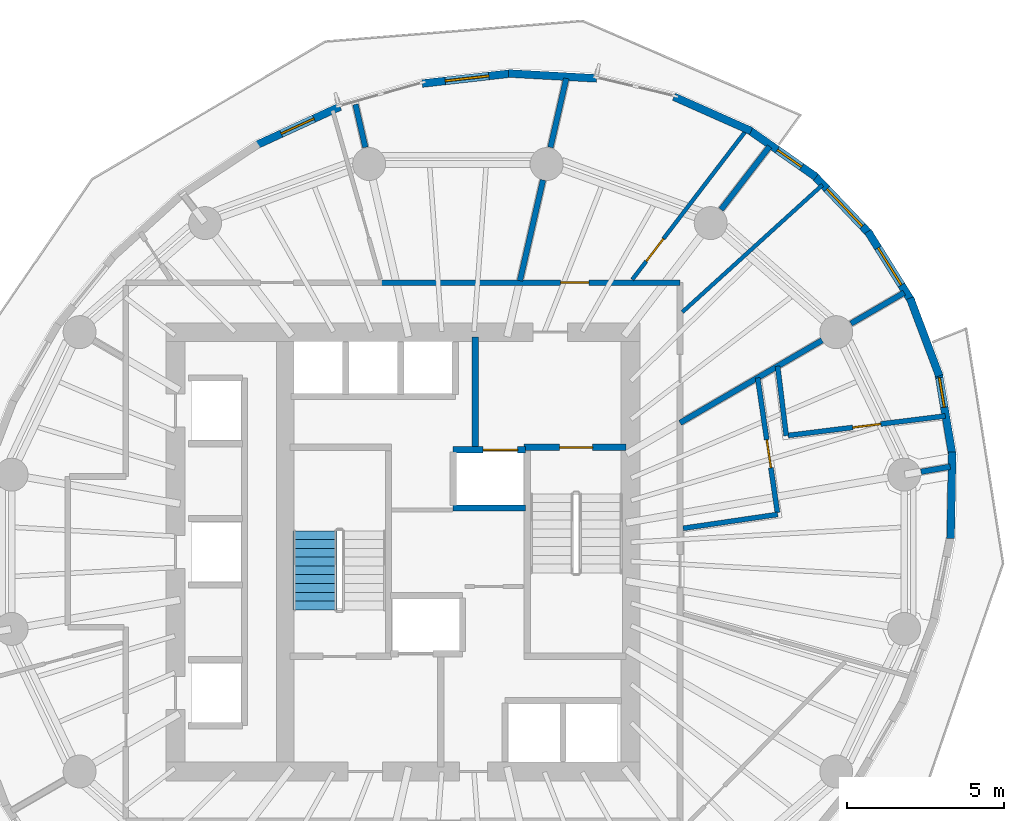
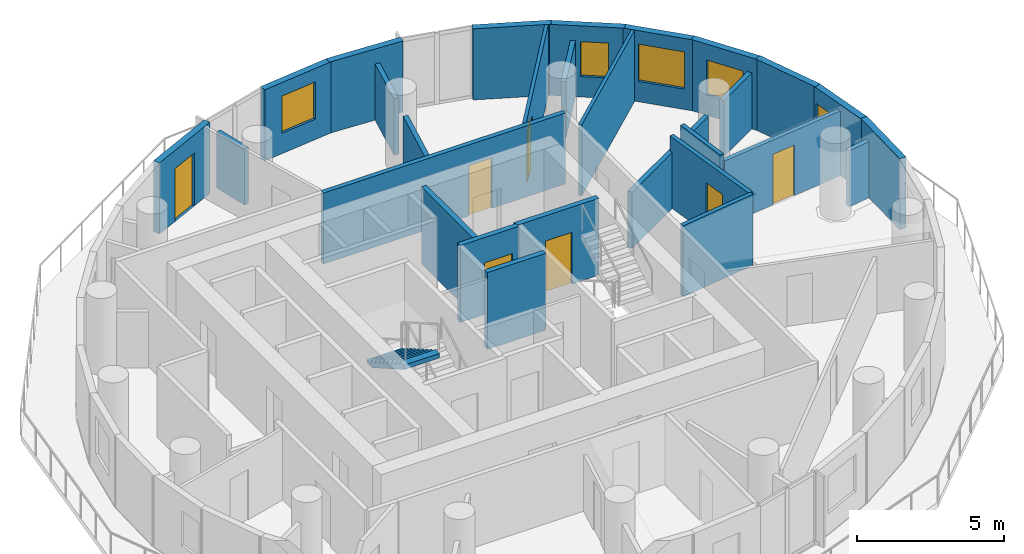
# One storey, part 7 of 13: 28 walls, 7 doors, 5 windows, 1 stair flight, 12 openings, 1 element without a shape of its own.
"""IFC4 building model written with IfcOpenShell, lengths in metres."""

import ifcopenshell
import ifcopenshell.guid

model = None  # the IFC model being written
_history = None  # IfcOwnerHistory: only IFC2X3 demands one
_inside = {}  # id of a spatial element -> (the spatial element, [elements in it])
_under = {}  # id of a project, library or spatial element -> (it, [spatial elements below it])
_declared = {}  # id of a project -> (the project, [libraries it declares])
_typed = {}  # id of a type object -> (the type object, [elements of that type])
_made_of = {}  # id of a material, layer set ... -> (it, [elements and type objects made of it])


def new_model(schema):
    """Start an empty IFC model of exactly this schema.

    Asked for "IFC4X3", IfcOpenShell would pick the latest addendum, in which some entities
    have other attributes; the version numbers below select the first issue.
    IFC2X3 requires an IfcOwnerHistory on every rooted entity: one is made here for all.
    """
    global model, _history
    if schema == "IFC4X3":
        model = ifcopenshell.file(schema_version=(4, 3, 0, 0))
    else:
        model = ifcopenshell.file(schema=schema)
    _inside.clear()
    _under.clear()
    _declared.clear()
    _typed.clear()
    _made_of.clear()
    _history = None
    if model.schema == "IFC2X3":
        org = make("IfcOrganization", Name="unknown")
        user = make(
            "IfcPersonAndOrganization",
            ThePerson=make("IfcPerson", FamilyName="unknown"),
            TheOrganization=org,
        )
        app = make(
            "IfcApplication",
            ApplicationDeveloper=org,
            Version="unknown",
            ApplicationFullName="unknown",
            ApplicationIdentifier="unknown",
        )
        _history = make(
            "IfcOwnerHistory",
            OwningUser=user,
            OwningApplication=app,
            ChangeAction="ADDED",
            CreationDate=0,
        )
    return model


def make(cls, **values):
    """One entity of the class cls with the attributes given. An attribute that is None is left unset."""
    return model.create_entity(
        cls, **{name: value for name, value in values.items() if value is not None}
    )


def rooted(cls, **values):
    """An entity with a GlobalId (a new one), such as an element, a storey or a relation."""
    return make(cls, GlobalId=ifcopenshell.guid.new(), OwnerHistory=_history, **values)


def si_unit(unit_type, name, prefix=None):
    """IfcSIUnit, for example si_unit("LENGTHUNIT", "METRE", prefix="MILLI")."""
    return make("IfcSIUnit", UnitType=unit_type, Prefix=prefix, Name=name)


def assignment(units):
    """IfcUnitAssignment: the units of a project."""
    return None if units is None else make("IfcUnitAssignment", Units=units)


def point(xyz):
    """IfcCartesianPoint."""
    return None if xyz is None else make("IfcCartesianPoint", Coordinates=xyz)


def direction(xyz):
    """IfcDirection."""
    return None if xyz is None else make("IfcDirection", DirectionRatios=xyz)


def frame(location, z_axis=None, x_axis=None):
    """IfcAxis2Placement3D, a coordinate frame: its origin and axes. An axis left out is left unset."""
    return make(
        "IfcAxis2Placement3D",
        Location=point(location),
        Axis=direction(z_axis),
        RefDirection=direction(x_axis),
    )


def frame_2d(location, x_axis=None):
    """IfcAxis2Placement2D, a coordinate frame in the plane: its origin and x axis."""
    return make(
        "IfcAxis2Placement2D", Location=point(location), RefDirection=direction(x_axis)
    )


def origin():
    """The frame at (0, 0, 0) with its axes left unset."""
    return frame((0.0, 0.0, 0.0))


def place(relative_to, where):
    """IfcLocalPlacement: puts the frame where relative to a parent placement (None: the world)."""
    return make(
        "IfcLocalPlacement", PlacementRelTo=relative_to, RelativePlacement=where
    )


def context(
    kind, dimensions, precision=None, world=None, true_north=None, identifier=None
):
    """IfcGeometricRepresentationContext, for example the 3D "Model" context."""
    return make(
        "IfcGeometricRepresentationContext",
        ContextIdentifier=identifier,
        ContextType=kind,
        CoordinateSpaceDimension=dimensions,
        Precision=precision,
        WorldCoordinateSystem=world,
        TrueNorth=true_north,
    )


def subcontext(parent, identifier, kind, view, scale=None):
    """IfcGeometricRepresentationSubContext, for example "Body" below "Model"."""
    return make(
        "IfcGeometricRepresentationSubContext",
        ContextIdentifier=identifier,
        ContextType=kind,
        ParentContext=parent,
        TargetScale=scale,
        TargetView=view,
    )


def project(units=None, contexts=None):
    """IfcProject with its units and contexts."""
    return rooted(
        "IfcProject",
        Name="project",
        RepresentationContexts=contexts,
        UnitsInContext=assignment(units),
    )


def spatial(cls, under=None, at=None, **own):
    """A site, building, storey or space (cls), placed at a placement, below another one or the project."""
    s = rooted(cls, ObjectPlacement=at, **own)
    if under is not None:
        _under.setdefault(under.id(), (under, []))[1].append(s)
    return s


def polyline(points):
    """IfcPolyline through the points."""
    return make("IfcPolyline", Points=[point(p) for p in points])


def profile(cls, at=None, kind="AREA", **sizes):
    """A parametric profile (cls). Its sizes go by their IFC names, for example OverallWidth=200.0."""
    return make(cls, ProfileType=kind, Position=at, **sizes)


def rectangle(**sizes):
    """IfcRectangleProfileDef."""
    return profile("IfcRectangleProfileDef", **sizes)


def outline(outer, holes=None, kind="AREA"):
    """IfcArbitraryClosedProfileDef: a profile drawn as a closed curve; with holes, ...WithVoids."""
    if holes is None:
        return make("IfcArbitraryClosedProfileDef", ProfileType=kind, OuterCurve=outer)
    return make(
        "IfcArbitraryProfileDefWithVoids",
        ProfileType=kind,
        OuterCurve=outer,
        InnerCurves=holes,
    )


def extrude(swept, where, along, depth):
    """IfcExtrudedAreaSolid: the profile swept, set in the frame where, extruded along a direction by depth."""
    return make(
        "IfcExtrudedAreaSolid",
        SweptArea=swept,
        Position=where,
        ExtrudedDirection=direction(along),
        Depth=depth,
    )


def shape(context_of_items, identifier, shape_type, items):
    """IfcShapeRepresentation: the items that make up one representation, for example the "Body"."""
    return make(
        "IfcShapeRepresentation",
        ContextOfItems=context_of_items,
        RepresentationIdentifier=identifier,
        RepresentationType=shape_type,
        Items=items,
    )


def material(Name=None, Category=None):
    """IfcMaterial."""
    return make("IfcMaterial", Name=Name, Category=Category)


def layer(
    of_material, thickness, ventilated=None, Name=None, Category=None, Priority=None
):
    """IfcMaterialLayer: one layer of a wall or slab, of a material (None: an air gap)."""
    return make(
        "IfcMaterialLayer",
        Material=of_material,
        LayerThickness=thickness,
        IsVentilated=ventilated,
        Name=Name,
        Category=Category,
        Priority=Priority,
    )


def layer_set(layers, Name=None):
    """IfcMaterialLayerSet."""
    return make("IfcMaterialLayerSet", MaterialLayers=layers, LayerSetName=Name)


def made_of(thing, what):
    """Note that an element or type object is made of a material, layer set ...; save() writes the relation."""
    if what is not None:
        _made_of.setdefault(what.id(), (what, []))[1].append(thing)
    return thing


def type_object(cls, material=None, **own):
    """A type object (cls), such as IfcWallType, which elements share."""
    return made_of(rooted(cls, **own), material)


def element(
    cls,
    number,
    at=None,
    inside=None,
    cuts=None,
    type_object=None,
    material=None,
    context=None,
    identifier="Body",
    shape_type=None,
    held_by="IfcProductDefinitionShape",
    body=None,
    shapes=None,
    **own,
):
    """One element of the class cls, such as IfcWall. Its Tag is "e" and its number.

    at: its placement. inside: the storey or other place that contains it. cuts: it is an
    opening in that element (IfcRelVoidsElement). A single representation is given by context,
    identifier, shape_type and body (its items); several are given by shapes. held_by: the class
    of the entity that holds the representations. save() writes the other relations.
    """
    e = rooted(cls, Tag="e%d" % number, ObjectPlacement=at, **own)
    if body is not None:
        shapes = [shape(context, identifier, shape_type, body)]
    if shapes is not None:
        e.Representation = make(held_by, Representations=shapes)
    if inside is not None:
        _inside.setdefault(inside.id(), (inside, []))[1].append(e)
    if cuts is not None:
        rooted(
            "IfcRelVoidsElement", RelatingBuildingElement=cuts, RelatedOpeningElement=e
        )
    if type_object is not None:
        _typed.setdefault(type_object.id(), (type_object, []))[1].append(e)
    return made_of(e, material)


def fill(opening, filler):
    """IfcRelFillsElement: the door or window that sits in an opening."""
    return rooted(
        "IfcRelFillsElement",
        RelatingOpeningElement=opening,
        RelatedBuildingElement=filler,
    )


def aggregate(whole, parts):
    """IfcRelAggregates: a whole, such as a stair, and the parts it consists of."""
    return rooted("IfcRelAggregates", RelatingObject=whole, RelatedObjects=parts)


def save(model, path):
    """Write the relations noted so far, then the file.

    IfcRelAggregates (storeys below a building ...), IfcRelContainedInSpatialStructure (elements
    in a storey), IfcRelDefinesByType, IfcRelAssociatesMaterial and IfcRelDeclares: one each for
    every whole, place, type object, material and project.
    """
    for whole, parts in _under.values():
        aggregate(whole, parts)
    for where, things in _inside.values():
        rooted(
            "IfcRelContainedInSpatialStructure",
            RelatedElements=things,
            RelatingStructure=where,
        )
    for kind, things in _typed.values():
        rooted("IfcRelDefinesByType", RelatedObjects=things, RelatingType=kind)
    for what, things in _made_of.values():
        rooted("IfcRelAssociatesMaterial", RelatedObjects=things, RelatingMaterial=what)
    for by, libraries in _declared.values():
        rooted("IfcRelDeclares", RelatingContext=by, RelatedDefinitions=libraries)
    model.write(path)


model = new_model("IFC4")

# Units and contexts
model_context = context("Model", 3, precision=1e-05, world=origin(), true_north=direction((0.0, 1.0)))
body_context = subcontext(model_context, "Body", "Model", "MODEL_VIEW")
ifc_project = project(units=[si_unit("LENGTHUNIT", "METRE"), si_unit("AREAUNIT", "SQUARE_METRE"), si_unit("VOLUMEUNIT", "CUBIC_METRE"), si_unit("PLANEANGLEUNIT", "RADIAN"), si_unit("MASSUNIT", "GRAM", prefix="KILO")], contexts=[model_context])

# Site, building, storey
site_placement = place(None, origin())
site = spatial("IfcSite", under=ifc_project, at=site_placement, CompositionType="ELEMENT")
building_placement = place(site_placement, origin())
building = spatial("IfcBuilding", under=site, at=building_placement, Name="Veldorim Arch Residences", CompositionType="ELEMENT")
storey_placement = place(building_placement, frame((0.0, 0.0, 152.159912109375)))
storey = spatial("IfcBuildingStorey", under=building, at=storey_placement, Name="L45", CompositionType="ELEMENT", Elevation=152.159912109375)

# Wall, opening, door
ifc_material_1 = material(Name="Acoustic Gypsum Board", Category="gypsum")
ifc_layer_1 = layer(ifc_material_1, 0.125, Name="Acoustic Stud Room Partition Wall 125")
ifc_layer_set_1 = layer_set([ifc_layer_1], Name="Acoustic Gypsum Board")
wall_type_1 = type_object("IfcWallType", Name="Acoustic Stud Room Partition Wall 125", PredefinedType="PARTITIONING", material=ifc_layer_set_1)
wall_1_placement = place(storey_placement, frame((41.206787109375, 37.455322265625, 0.0), z_axis=(0.0, 0.0, 1.0), x_axis=(-0.606958821331, -0.794733281805, 0.0)))
wall_1 = element("IfcWall", 1, at=wall_1_placement, inside=storey, type_object=wall_type_1, Name="L45 interior wall WL-RES-L45-022", PredefinedType="PARTITIONING", context=body_context, shape_type="SweptSolid", body=[
    extrude(rectangle(XDim=6.0146484375, YDim=0.125, at=frame_2d((3.00732421875, 0.0))), origin(), (0.0, 0.0, 1.0), 2.955078125),
])
opening_1_placement = place(wall_1_placement, frame((4.377197265625, 0.0, 0.0)))
opening_1 = element("IfcOpeningElement", 2, at=opening_1_placement, cuts=wall_1, Name="Opening DR-SVC", PredefinedType="OPENING", context=body_context, shape_type="SweptSolid", body=[
    extrude(rectangle(XDim=0.89990234375, YDim=2.10009765625, at=frame_2d((0.449951171875, 1.050048828125))), frame((0.0, 0.072509765625, 0.0), z_axis=(0.0, -1.0, 0.0), x_axis=(1.0, 0.0, 0.0)), (0.0, 0.0, 1.0), 0.14501953125),
])
ifc_material_2 = material(Name="Fire-Rated Steel", Category="steel")
door_type_1 = type_object("IfcDoorType", Name="Riser, Shelter & Plant Room Rated Steel Door 900x2100", OperationType="SINGLE_SWING_LEFT", PredefinedType="DOOR", material=ifc_material_2)
door_1_placement = place(opening_1_placement, origin())
door_1 = element("IfcDoor", 3, at=door_1_placement, inside=storey, type_object=door_type_1, Name="L45 interior door DR-RES-L45-011", OperationType="SINGLE_SWING_LEFT", OverallHeight=2.10009765625, OverallWidth=0.89990234375, PredefinedType="DOOR", context=body_context, shape_type="SweptSolid", body=[
    extrude(rectangle(XDim=0.89990234375, YDim=2.10009765625, at=frame_2d((0.449951171875, 1.050048828125))), frame((0.0, 0.02490234375, 0.0), z_axis=(0.0, -1.0, 0.0), x_axis=(1.0, 0.0, 0.0)), (0.0, 0.0, 1.0), 0.050048828125),
])
fill(opening_1, door_1)

# Walls
wall_2_placement = place(storey_placement, frame((39.154052734375, 31.641357421875, 0.0), z_axis=(0.0, 0.0, 1.0), x_axis=(0.740463996849, 0.672096026896, 0.0)))
element("IfcWall", 4, at=wall_2_placement, inside=storey, type_object=wall_type_1, Name="L45 interior wall WL-RES-L45-024", PredefinedType="PARTITIONING", context=body_context, shape_type="SweptSolid", body=[
    extrude(rectangle(XDim=6.02783203125, YDim=0.125, at=frame_2d((3.013916015625, 0.0))), origin(), (0.0, 0.0, 1.0), 2.955078125),
])
ifc_material_3 = material(Name="Lightweight Masonry Block & Gypsum", Category="masonry")
ifc_layer_2 = layer(ifc_material_3, 0.179931640625, Name="Compartment & Corridor Fire-Rated Party Wall 180")
ifc_layer_set_2 = layer_set([ifc_layer_2], Name="Lightweight Masonry Block & Gypsum")
wall_type_2 = type_object("IfcWallType", Name="Compartment & Corridor Fire-Rated Party Wall 180", PredefinedType="PARTITIONING", material=ifc_layer_set_2)
wall_3_placement = place(storey_placement, frame((46.75830078125, 26.55078125, 0.0), z_axis=(0.0, 0.0, 1.0), x_axis=(0.985363023372, 0.170469094476, 0.0)))
element("IfcWall", 5, at=wall_3_placement, inside=storey, type_object=wall_type_2, Name="L45 interior wall WL-PIER-L45-01", PredefinedType="PARTITIONING", context=body_context, shape_type="SweptSolid", body=[
    extrude(rectangle(XDim=0.9453125, YDim=0.179931640625, at=frame_2d((0.47265625, 0.0))), origin(), (0.0, 0.0, 1.0), 2.3359375),
])
wall_4_placement = place(storey_placement, frame((44.527587890625, 31.27392578125, 0.0), z_axis=(0.0, 0.0, 1.0), x_axis=(0.864794183852, 0.502126497584, 0.0)))
element("IfcWall", 6, at=wall_4_placement, inside=storey, type_object=wall_type_2, Name="L45 interior wall WL-PIER-L45-02", PredefinedType="PARTITIONING", context=body_context, shape_type="SweptSolid", body=[
    extrude(rectangle(XDim=1.958984375, YDim=0.179931640625, at=frame_2d((0.9794921875, 0.0))), origin(), (0.0, 0.0, 1.0), 2.3359375),
])
wall_5_placement = place(storey_placement, frame((40.387939453125, 34.908447265625, 0.0), z_axis=(0.0, 0.0, 1.0), x_axis=(0.609529171404, 0.79276364019, 0.0)))
element("IfcWall", 7, at=wall_5_placement, inside=storey, type_object=wall_type_2, Name="L45 interior wall WL-PIER-L45-03", PredefinedType="PARTITIONING", context=body_context, shape_type="SweptSolid", body=[
    extrude(rectangle(XDim=2.5341796875, YDim=0.179931640625, at=frame_2d((1.26708984375, 0.0))), origin(), (0.0, 0.0, 1.0), 2.3359375),
])
wall_6_placement = place(storey_placement, frame((34.950439453125, 36.88916015625, 0.0), z_axis=(0.0, 0.0, 1.0), x_axis=(0.223104026265, 0.974794641688, 0.0)))
element("IfcWall", 8, at=wall_6_placement, inside=storey, type_object=wall_type_2, Name="L45 interior wall WL-PIER-L45-04", PredefinedType="PARTITIONING", context=body_context, shape_type="SweptSolid", body=[
    extrude(rectangle(XDim=2.25537109375, YDim=0.179931640625, at=frame_2d((1.127685546875, 0.0))), origin(), (0.0, 0.0, 1.0), 2.3359375),
])
wall_7_placement = place(storey_placement, frame((29.049560546875, 36.88916015625, 0.0), z_axis=(0.0, 0.0, 1.0), x_axis=(-0.223121817242, 0.974790569646, 0.0)))
element("IfcWall", 9, at=wall_7_placement, inside=storey, type_object=wall_type_2, Name="L45 interior wall WL-PIER-L45-05", PredefinedType="PARTITIONING", context=body_context, shape_type="SweptSolid", body=[
    extrude(rectangle(XDim=1.406005859375, YDim=0.179931640625, at=frame_2d((0.703125, 0.0))), origin(), (0.0, 0.0, 1.0), 2.3359375),
])

# Wall, opening, door
wall_8_placement = place(storey_placement, frame((29.543701171875, 32.580078125, 0.0), z_axis=(0.0, 0.0, 1.0), x_axis=(1.0, 0.0, 0.0)))
wall_8 = element("IfcWall", 10, at=wall_8_placement, inside=storey, type_object=wall_type_2, Name="L45 interior wall WL-RES-L45-003", PredefinedType="PARTITIONING", context=body_context, shape_type="SweptSolid", body=[
    extrude(rectangle(XDim=9.536376953125, YDim=0.179931640625, at=frame_2d((4.76806640625, 0.0))), origin(), (0.0, 0.0, 1.0), 2.955078125),
])
opening_2_placement = place(wall_8_placement, frame((5.732666015625, 0.0, 0.0)))
opening_2 = element("IfcOpeningElement", 11, at=opening_2_placement, cuts=wall_8, Name="Opening DR-INT", PredefinedType="OPENING", context=body_context, shape_type="SweptSolid", body=[
    extrude(rectangle(XDim=0.89990234375, YDim=2.10009765625, at=frame_2d((0.449951171875, 1.050048828125))), frame((0.0, 0.099853515625, 0.0), z_axis=(0.0, -1.0, 0.0), x_axis=(1.0, 0.0, 0.0)), (0.0, 0.0, 1.0), 0.199951171875),
])
ifc_material_4 = material(Name="Engineered Timber", Category="wood")
door_type_2 = type_object("IfcDoorType", Name="Apartment Internal Room Timber Door 900x2100", OperationType="SINGLE_SWING_LEFT", PredefinedType="DOOR", material=ifc_material_4)
door_2_placement = place(opening_2_placement, origin())
door_2 = element("IfcDoor", 12, at=door_2_placement, inside=storey, type_object=door_type_2, Name="L45 interior door DR-RES-L45-009", OperationType="SINGLE_SWING_LEFT", OverallHeight=2.10009765625, OverallWidth=0.89990234375, PredefinedType="DOOR", context=body_context, shape_type="SweptSolid", body=[
    extrude(rectangle(XDim=0.89990234375, YDim=2.10009765625, at=frame_2d((0.449951171875, 1.050048828125))), frame((0.0, 0.02490234375, 0.0), z_axis=(0.0, -1.0, 0.0), x_axis=(1.0, 0.0, 0.0)), (0.0, 0.0, 1.0), 0.050048828125),
])
fill(opening_2, door_2)

# Walls
wall_9_placement = place(storey_placement, frame((39.080078125, 28.110595703125, 0.0), z_axis=(0.0, 0.0, 1.0), x_axis=(0.864768049288, 0.502171505495, 0.0)))
element("IfcWall", 13, at=wall_9_placement, inside=storey, type_object=wall_type_2, Name="L45 interior wall WL-RES-L45-020", PredefinedType="PARTITIONING", context=body_context, shape_type="SweptSolid", body=[
    extrude(rectangle(XDim=5.237060546875, YDim=0.179931640625, at=frame_2d((2.61865234375, 0.0))), origin(), (0.0, 0.0, 1.0), 2.3359375),
])
wall_10_placement = place(storey_placement, frame((33.977294921875, 32.638427734375, 0.0), z_axis=(0.0, 0.0, 1.0), x_axis=(0.22319287001, 0.974774303506, 0.0)))
element("IfcWall", 14, at=wall_10_placement, inside=storey, type_object=wall_type_2, Name="L45 interior wall WL-RES-L45-023", PredefinedType="PARTITIONING", context=body_context, shape_type="SweptSolid", body=[
    extrude(rectangle(XDim=3.2958984375, YDim=0.179931640625, at=frame_2d((1.64794921875, 0.0))), origin(), (0.0, 0.0, 1.0), 2.3359375),
])

# Wall, opening, door
ifc_material_5 = material(Name="Concrete C50/60", Category="concrete")
ifc_layer_3 = layer(ifc_material_5, 0.199951171875, Name="Core Stair & Lift Shaft Enclosure Wall 200")
ifc_layer_set_3 = layer_set([ifc_layer_3], Name="Concrete C50/60")
wall_type_3 = type_object("IfcWallType", Name="Core Stair & Lift Shaft Enclosure Wall 200", PredefinedType="SHEAR", material=ifc_layer_set_3)
wall_11_placement = place(storey_placement, frame((34.110107421875, 27.330078125, 0.0), z_axis=(0.0, 0.0, 1.0), x_axis=(1.0, 0.0, 0.0)))
wall_11 = element("IfcWall", 15, at=wall_11_placement, inside=storey, type_object=wall_type_3, Name="L45 shaft wall WL-SHF-L45-ST2-N", PredefinedType="SHEAR", context=body_context, shape_type="SweptSolid", body=[
    extrude(rectangle(XDim=3.239990234375, YDim=0.199951171875, at=frame_2d((1.6201171875, 0.0))), origin(), (0.0, 0.0, 1.0), 3.2001953125),
])
opening_3_placement = place(wall_11_placement, frame((1.135009765625, 0.0, 0.0)))
opening_3 = element("IfcOpeningElement", 16, at=opening_3_placement, cuts=wall_11, Name="Opening DR-ST", PredefinedType="OPENING", context=body_context, shape_type="SweptSolid", body=[
    extrude(rectangle(XDim=1.050048828125, YDim=2.14990234375, at=frame_2d((0.52490234375, 1.074951171875))), frame((0.0, 0.10986328125, 0.0), z_axis=(0.0, -1.0, 0.0), x_axis=(1.0, 0.0, 0.0)), (0.0, 0.0, 1.0), 0.219970703125),
])
ifc_material_6 = material(Name="Fire-Rated Steel", Category="steel")
door_type_3 = type_object("IfcDoorType", Name="Exit Staircase Self-Closing Fire Door 1050x2150", OperationType="SINGLE_SWING_LEFT", PredefinedType="DOOR", material=ifc_material_6)
door_3_placement = place(opening_3_placement, origin())
door_3 = element("IfcDoor", 17, at=door_3_placement, inside=storey, type_object=door_type_3, Name="L45 interior door DR-L45-ST2", OperationType="SINGLE_SWING_RIGHT", OverallHeight=2.14990234375, OverallWidth=1.050048828125, PredefinedType="DOOR", context=body_context, shape_type="SweptSolid", body=[
    extrude(rectangle(XDim=1.050048828125, YDim=2.14990234375, at=frame_2d((0.52490234375, 1.074951171875))), frame((0.0, 0.02490234375, 0.0), z_axis=(0.0, -1.0, 0.0), x_axis=(1.0, 0.0, 0.0)), (0.0, 0.0, 1.0), 0.050048828125),
])
fill(opening_3, door_3)

# Wall
wall_12_placement = place(storey_placement, frame((32.550048828125, 27.35009765625, 0.0), z_axis=(0.0, 0.0, 1.0), x_axis=(0.0, 1.0, 0.0)))
element("IfcWall", 18, at=wall_12_placement, inside=storey, type_object=wall_type_3, Name="L45 shaft wall WL-FFL2-L45-W", PredefinedType="SHEAR", context=body_context, shape_type="SweptSolid", body=[
    extrude(rectangle(XDim=3.5, YDim=0.199951171875, at=frame_2d((1.75, 0.0))), origin(), (0.0, 0.0, 1.0), 3.2001953125),
])

# Wall, opening, door
wall_13_placement = place(storey_placement, frame((31.85009765625, 27.25, 0.0), z_axis=(0.0, 0.0, 1.0), x_axis=(1.0, 0.0, 0.0)))
wall_13 = element("IfcWall", 19, at=wall_13_placement, inside=storey, type_object=wall_type_3, Name="L45 shaft wall WL-FL02-L45-N", PredefinedType="SHEAR", context=body_context, shape_type="SweptSolid", body=[
    extrude(rectangle(XDim=2.2998046875, YDim=0.199951171875, at=frame_2d((1.14990234375, 0.0))), origin(), (0.0, 0.0, 1.0), 3.2001953125),
])
opening_4_placement = place(wall_13_placement, frame((0.949951171875, 0.0, 0.0)))
opening_4 = element("IfcOpeningElement", 20, at=opening_4_placement, cuts=wall_13, Name="Opening LD-FF", PredefinedType="OPENING", context=body_context, shape_type="SweptSolid", body=[
    extrude(rectangle(XDim=1.10009765625, YDim=2.14990234375, at=frame_2d((0.550048828125, 1.074951171875))), frame((0.0, 0.10986328125, 0.0), z_axis=(0.0, -1.0, 0.0), x_axis=(1.0, 0.0, 0.0)), (0.0, 0.0, 1.0), 0.219970703125),
])
ifc_material_7 = material(Name="Stainless Steel", Category="steel")
door_type_4 = type_object("IfcDoorType", Name="Firefighting Lift Bi-Parting Sliding Landing Door 1100x2150", OperationType="DOUBLE_DOOR_SLIDING", PredefinedType="DOOR", material=ifc_material_7)
door_4_placement = place(opening_4_placement, origin())
door_4 = element("IfcDoor", 21, at=door_4_placement, inside=storey, type_object=door_type_4, Name="L45 lift landing door LD-L45-FL02", OperationType="DOUBLE_DOOR_SLIDING", OverallHeight=2.14990234375, OverallWidth=1.10009765625, PredefinedType="DOOR", context=body_context, shape_type="SweptSolid", body=[
    extrude(rectangle(XDim=1.10009765625, YDim=2.14990234375, at=frame_2d((0.550048828125, 1.074951171875))), frame((0.0, 0.02490234375, 0.0), z_axis=(0.0, -1.0, 0.0), x_axis=(1.0, 0.0, 0.0)), (0.0, 0.0, 1.0), 0.050048828125),
])
fill(opening_4, door_4)

# Wall
wall_14_placement = place(storey_placement, frame((31.85009765625, 25.39990234375, 0.0), z_axis=(0.0, 0.0, 1.0), x_axis=(1.0, 0.0, 0.0)))
element("IfcWall", 22, at=wall_14_placement, inside=storey, type_object=wall_type_3, Name="L45 shaft wall WL-FL02-L45-S", PredefinedType="SHEAR", context=body_context, shape_type="SweptSolid", body=[
    extrude(rectangle(XDim=2.2998046875, YDim=0.199951171875, at=frame_2d((1.14990234375, 0.0))), origin(), (0.0, 0.0, 1.0), 3.2001953125),
])

# Wall, opening, window
ifc_material_8 = material(Name="Precast concrete C40/50", Category="concrete")
ifc_layer_4 = layer(ifc_material_8, 0.25, Name="Tower Terracotta Spandrel & Pier Wall 250")
ifc_layer_set_4 = layer_set([ifc_layer_4], Name="Precast concrete C40/50")
wall_type_4 = type_object("IfcWallType", Name="Tower Terracotta Spandrel & Pier Wall 250", PredefinedType="SOLIDWALL", material=ifc_layer_set_4)
wall_15_placement = place(storey_placement, frame((43.328125, 36.018798828125, 0.0), z_axis=(0.0, 0.0, 1.0), x_axis=(0.688923042016, -0.724834492957, 0.0)))
wall_15 = element("IfcWall", 23, at=wall_15_placement, inside=storey, type_object=wall_type_4, Name="L45 terracotta facade wall 01", PredefinedType="SOLIDWALL", context=body_context, shape_type="SweptSolid", body=[
    extrude(rectangle(XDim=2.624267578125, YDim=0.25, at=frame_2d((1.31201171875, 0.0))), origin(), (0.0, 0.0, 1.0), 2.960205078125),
])
opening_5_placement = place(wall_15_placement, frame((0.62109375, 0.0, 0.85009765625)))
opening_5 = element("IfcOpeningElement", 24, at=opening_5_placement, cuts=wall_15, Name="Opening WN-03", PredefinedType="OPENING", context=body_context, shape_type="SweptSolid", body=[
    extrude(rectangle(XDim=1.64990234375, YDim=1.550048828125, at=frame_2d((0.824951171875, 0.77490234375))), frame((0.0, 0.135009765625, 0.0), z_axis=(0.0, -1.0, 0.0), x_axis=(1.0, 0.0, 0.0)), (0.0, 0.0, 1.0), 0.27001953125),
])
ifc_material_9 = material(Name="Laminated Low-E Glass", Category="glass")
window_type_1 = type_object("IfcWindowType", Name="Residential Wide Window 1650x1550", PartitioningType="SINGLE_PANEL", PredefinedType="WINDOW", material=ifc_material_9)
window_1_placement = place(opening_5_placement, origin())
window_1 = element("IfcWindow", 25, at=window_1_placement, inside=storey, type_object=window_type_1, Name="L45 solar-control facade window 01", OverallHeight=1.550048828125, OverallWidth=1.64990234375, PartitioningType="SINGLE_PANEL", PredefinedType="WINDOW", context=body_context, shape_type="SweptSolid", body=[
    extrude(rectangle(XDim=1.64990234375, YDim=1.550048828125, at=frame_2d((0.824951171875, 0.77490234375))), frame((0.0, 0.030029296875, 0.0), z_axis=(0.0, -1.0, 0.0), x_axis=(1.0, 0.0, 0.0)), (0.0, 0.0, 1.0), 0.06005859375),
])
fill(opening_5, window_1)

wall_16_placement = place(storey_placement, frame((41.247314453125, 37.4658203125, 0.0), z_axis=(0.0, 0.0, 1.0), x_axis=(0.818434239786, -0.574600204617, 0.0)))
wall_16 = element("IfcWall", 26, at=wall_16_placement, inside=storey, type_object=wall_type_4, Name="L45 terracotta facade wall 02", PredefinedType="SOLIDWALL", context=body_context, shape_type="SweptSolid", body=[
    extrude(rectangle(XDim=2.6484375, YDim=0.25, at=frame_2d((1.32421875, 0.0))), origin(), (0.0, 0.0, 1.0), 2.960205078125),
])
opening_6_placement = place(wall_16_placement, frame((1.137939453125, 0.0, 0.85009765625)))
opening_6 = element("IfcOpeningElement", 27, at=opening_6_placement, cuts=wall_16, Name="Opening WN-05", PredefinedType="OPENING", context=body_context, shape_type="SweptSolid", body=[
    extrude(rectangle(XDim=0.949951171875, YDim=1.449951171875, at=frame_2d((0.47509765625, 0.72509765625))), frame((0.0, 0.135009765625, 0.0), z_axis=(0.0, -1.0, 0.0), x_axis=(1.0, 0.0, 0.0)), (0.0, 0.0, 1.0), 0.27001953125),
])
ifc_material_10 = material(Name="Laminated Low-E Glass", Category="glass")
window_type_2 = type_object("IfcWindowType", Name="Residential Compact Casement Window 950x1450", PartitioningType="SINGLE_PANEL", PredefinedType="WINDOW", material=ifc_material_10)
window_2_placement = place(opening_6_placement, origin())
window_2 = element("IfcWindow", 28, at=window_2_placement, inside=storey, type_object=window_type_2, Name="L45 solar-control facade window 02", OverallHeight=1.449951171875, OverallWidth=0.949951171875, PartitioningType="SINGLE_PANEL", PredefinedType="WINDOW", context=body_context, shape_type="SweptSolid", body=[
    extrude(rectangle(XDim=0.949951171875, YDim=1.449951171875, at=frame_2d((0.47509765625, 0.72509765625))), frame((0.0, 0.030029296875, 0.0), z_axis=(0.0, -1.0, 0.0), x_axis=(1.0, 0.0, 0.0)), (0.0, 0.0, 1.0), 0.06005859375),
])
fill(opening_6, window_2)

# Walls
wall_17_placement = place(storey_placement, frame((38.885986328125, 38.5048828125, 0.0), z_axis=(0.0, 0.0, 1.0), x_axis=(0.913598321014, -0.406617889228, 0.0)))
element("IfcWall", 29, at=wall_17_placement, inside=storey, type_object=wall_type_4, Name="L45 terracotta facade wall 03", PredefinedType="SOLIDWALL", context=body_context, shape_type="SweptSolid", body=[
    extrude(rectangle(XDim=2.69287109375, YDim=0.25, at=frame_2d((1.346435546875, 0.0))), origin(), (0.0, 0.0, 1.0), 2.960205078125),
])
wall_18_placement = place(storey_placement, frame((33.61279296875, 39.245849609375, 0.0), z_axis=(0.0, 0.0, 1.0), x_axis=(0.998436800423, -0.055892356906, 0.0)))
element("IfcWall", 30, at=wall_18_placement, inside=storey, type_object=wall_type_4, Name="L45 terracotta facade wall 05", PredefinedType="SOLIDWALL", context=body_context, shape_type="SweptSolid", body=[
    extrude(rectangle(XDim=2.8173828125, YDim=0.25, at=frame_2d((1.40869140625, 0.0))), origin(), (0.0, 0.0, 1.0), 2.960205078125),
])

# Wall, opening, window
wall_19_placement = place(storey_placement, frame((30.860107421875, 38.92431640625, 0.0), z_axis=(0.0, 0.0, 1.0), x_axis=(0.993631150985, 0.112681568111, 0.0)))
wall_19 = element("IfcWall", 31, at=wall_19_placement, inside=storey, type_object=wall_type_4, Name="L45 terracotta facade wall 06", PredefinedType="SOLIDWALL", context=body_context, shape_type="SweptSolid", body=[
    extrude(rectangle(XDim=2.881591796875, YDim=0.25, at=frame_2d((1.44091796875, 0.0))), origin(), (0.0, 0.0, 1.0), 2.960205078125),
])
opening_7_placement = place(wall_19_placement, frame((0.740966796875, 0.0, 0.85009765625)))
opening_7 = element("IfcOpeningElement", 32, at=opening_7_placement, cuts=wall_19, Name="Opening WN-02", PredefinedType="OPENING", context=body_context, shape_type="SweptSolid", body=[
    extrude(rectangle(XDim=1.39990234375, YDim=1.550048828125, at=frame_2d((0.699951171875, 0.77490234375))), frame((0.0, 0.135009765625, 0.0), z_axis=(0.0, -1.0, 0.0), x_axis=(1.0, 0.0, 0.0)), (0.0, 0.0, 1.0), 0.27001953125),
])
ifc_material_11 = material(Name="Laminated Low-E Glass", Category="glass")
window_type_3 = type_object("IfcWindowType", Name="Residential Casement Window 1400x1550", PartitioningType="SINGLE_PANEL", PredefinedType="WINDOW", material=ifc_material_11)
window_3_placement = place(opening_7_placement, origin())
window_3 = element("IfcWindow", 33, at=window_3_placement, inside=storey, type_object=window_type_3, Name="L45 solar-control facade window 06", OverallHeight=1.550048828125, OverallWidth=1.39990234375, PartitioningType="SINGLE_PANEL", PredefinedType="WINDOW", context=body_context, shape_type="SweptSolid", body=[
    extrude(rectangle(XDim=1.39990234375, YDim=1.550048828125, at=frame_2d((0.699951171875, 0.77490234375))), frame((0.0, 0.030029296875, 0.0), z_axis=(0.0, -1.0, 0.0), x_axis=(1.0, 0.0, 0.0)), (0.0, 0.0, 1.0), 0.06005859375),
])
fill(opening_7, window_3)

# Wall, opening, door
wall_20_placement = place(storey_placement, frame((25.53857421875, 36.943603515625, 0.0), z_axis=(0.0, 0.0, 1.0), x_axis=(0.908594420046, 0.417679518124, 0.0)))
wall_20 = element("IfcWall", 34, at=wall_20_placement, inside=storey, type_object=wall_type_4, Name="L45 terracotta facade wall 08", PredefinedType="SOLIDWALL", context=body_context, shape_type="SweptSolid", body=[
    extrude(rectangle(XDim=2.97705078125, YDim=0.25, at=frame_2d((1.488525390625, 0.0))), origin(), (0.0, 0.0, 1.0), 2.960205078125),
])
opening_8_placement = place(wall_20_placement, frame((0.9140625, 0.0, 0.0)))
opening_8 = element("IfcOpeningElement", 35, at=opening_8_placement, cuts=wall_20, Name="Opening BL-DR", PredefinedType="OPENING", context=body_context, shape_type="SweptSolid", body=[
    extrude(rectangle(XDim=1.14990234375, YDim=2.199951171875, at=frame_2d((0.574951171875, 1.10009765625))), frame((0.0, 0.135009765625, 0.0), z_axis=(0.0, -1.0, 0.0), x_axis=(1.0, 0.0, 0.0)), (0.0, 0.0, 1.0), 0.27001953125),
])
ifc_material_12 = material(Name="Aluminium & Low-E Glass", Category="aluminium")
door_type_5 = type_object("IfcDoorType", Name="Glazed Planted Balcony Door 1150x2200", OperationType="SINGLE_SWING_LEFT", PredefinedType="DOOR", material=ifc_material_12)
door_5_placement = place(opening_8_placement, origin())
door_5 = element("IfcDoor", 36, at=door_5_placement, inside=storey, type_object=door_type_5, Name="L45 glazed outdoor terrace door BALC-1", OperationType="SINGLE_SWING_RIGHT", OverallHeight=2.199951171875, OverallWidth=1.14990234375, PredefinedType="DOOR", context=body_context, shape_type="SweptSolid", body=[
    extrude(rectangle(XDim=1.14990234375, YDim=2.199951171875, at=frame_2d((0.574951171875, 1.10009765625))), frame((0.0, 0.02490234375, 0.0), z_axis=(0.0, -1.0, 0.0), x_axis=(1.0, 0.0, 0.0)), (0.0, 0.0, 1.0), 0.050048828125),
])
fill(opening_8, door_5)

# Wall
wall_21_placement = place(storey_placement, frame((47.753173828125, 27.175048828125, 0.0), z_axis=(0.0, 0.0, 1.0), x_axis=(-0.018273942119, -0.999833017578, 0.0)))
element("IfcWall", 37, at=wall_21_placement, inside=storey, type_object=wall_type_4, Name="L45 terracotta facade wall 33", PredefinedType="SOLIDWALL", context=body_context, shape_type="SweptSolid", body=[
    extrude(rectangle(XDim=2.752197265625, YDim=0.25, at=frame_2d((1.3759765625, 0.0))), origin(), (0.0, 0.0, 1.0), 2.960205078125),
])

# Wall, opening, window
wall_22_placement = place(storey_placement, frame((47.312744140625, 29.7177734375, 0.0), z_axis=(0.0, 0.0, 1.0), x_axis=(0.166721354457, -0.9860040517, 0.0)))
wall_22 = element("IfcWall", 38, at=wall_22_placement, inside=storey, type_object=wall_type_4, Name="L45 terracotta facade wall 34", PredefinedType="SOLIDWALL", context=body_context, shape_type="SweptSolid", body=[
    extrude(rectangle(XDim=2.69287109375, YDim=0.25, at=frame_2d((1.346435546875, 0.0))), origin(), (0.0, 0.0, 1.0), 2.960205078125),
])
opening_9_placement = place(wall_22_placement, frame((0.175048828125, 0.0, 0.85009765625)))
opening_9 = element("IfcOpeningElement", 39, at=opening_9_placement, cuts=wall_22, Name="Opening WN-05", PredefinedType="OPENING", context=body_context, shape_type="SweptSolid", body=[
    extrude(rectangle(XDim=0.949951171875, YDim=1.449951171875, at=frame_2d((0.47509765625, 0.72509765625))), frame((0.0, 0.135009765625, 0.0), z_axis=(0.0, -1.0, 0.0), x_axis=(1.0, 0.0, 0.0)), (0.0, 0.0, 1.0), 0.27001953125),
])
window_4_placement = place(opening_9_placement, origin())
window_4 = element("IfcWindow", 40, at=window_4_placement, inside=storey, type_object=window_type_2, Name="L45 solar-control facade window 34", OverallHeight=1.449951171875, OverallWidth=0.949951171875, PartitioningType="SINGLE_PANEL", PredefinedType="WINDOW", context=body_context, shape_type="SweptSolid", body=[
    extrude(rectangle(XDim=0.949951171875, YDim=1.449951171875, at=frame_2d((0.47509765625, 0.72509765625))), frame((0.0, 0.030029296875, 0.0), z_axis=(0.0, -1.0, 0.0), x_axis=(1.0, 0.0, 0.0)), (0.0, 0.0, 1.0), 0.06005859375),
])
fill(opening_9, window_4)

# Wall
wall_23_placement = place(storey_placement, frame((46.40771484375, 32.085693359375, 0.0), z_axis=(0.0, 0.0, 1.0), x_axis=(0.353022229402, -0.93561493444, 0.0)))
element("IfcWall", 41, at=wall_23_placement, inside=storey, type_object=wall_type_4, Name="L45 terracotta facade wall 35", PredefinedType="SOLIDWALL", context=body_context, shape_type="SweptSolid", body=[
    extrude(rectangle(XDim=2.64794921875, YDim=0.25, at=frame_2d((1.323974609375, 0.0))), origin(), (0.0, 0.0, 1.0), 2.960205078125),
])

# Wall, opening, window
wall_24_placement = place(storey_placement, frame((45.06591796875, 34.207275390625, 0.0), z_axis=(0.0, 0.0, 1.0), x_axis=(0.530726374543, -0.847543223302, 0.0)))
wall_24 = element("IfcWall", 42, at=wall_24_placement, inside=storey, type_object=wall_type_4, Name="L45 terracotta facade wall 36", PredefinedType="SOLIDWALL", context=body_context, shape_type="SweptSolid", body=[
    extrude(rectangle(XDim=2.6240234375, YDim=0.25, at=frame_2d((1.31201171875, 0.0))), origin(), (0.0, 0.0, 1.0), 2.960205078125),
])
opening_10_placement = place(wall_24_placement, frame((0.612060546875, 0.0, 0.85009765625)))
opening_10 = element("IfcOpeningElement", 43, at=opening_10_placement, cuts=wall_24, Name="Opening WN-02", PredefinedType="OPENING", context=body_context, shape_type="SweptSolid", body=[
    extrude(rectangle(XDim=1.39990234375, YDim=1.449951171875, at=frame_2d((0.699951171875, 0.72509765625))), frame((0.0, 0.135009765625, 0.0), z_axis=(0.0, -1.0, 0.0), x_axis=(1.0, 0.0, 0.0)), (0.0, 0.0, 1.0), 0.27001953125),
])
window_5_placement = place(opening_10_placement, origin())
window_5 = element("IfcWindow", 44, at=window_5_placement, inside=storey, type_object=window_type_3, Name="L45 solar-control facade window 36", OverallHeight=1.449951171875, OverallWidth=1.39990234375, PartitioningType="SINGLE_PANEL", PredefinedType="WINDOW", context=body_context, shape_type="SweptSolid", body=[
    extrude(rectangle(XDim=1.39990234375, YDim=1.449951171875, at=frame_2d((0.699951171875, 0.72509765625))), frame((0.0, 0.030029296875, 0.0), z_axis=(0.0, -1.0, 0.0), x_axis=(1.0, 0.0, 0.0)), (0.0, 0.0, 1.0), 0.06005859375),
])
fill(opening_10, window_5)

# Wall
ifc_material_13 = material(Name="Moisture-Resistant Gypsum & Stud", Category="gypsum")
ifc_layer_5 = layer(ifc_material_13, 0.159912109375, Name="Wet-Area Moisture-Resistant Plumbing Wall 160")
ifc_layer_set_5 = layer_set([ifc_layer_5], Name="Moisture-Resistant Gypsum & Stud")
wall_type_5 = type_object("IfcWallType", Name="Wet-Area Moisture-Resistant Plumbing Wall 160", PredefinedType="PLUMBINGWALL", material=ifc_layer_set_5)
wall_25_placement = place(storey_placement, frame((42.189208984375, 29.916259765625, 0.0), z_axis=(0.0, 0.0, 1.0), x_axis=(0.122809822633, -0.99243022297, 0.0)))
element("IfcWall", 45, at=wall_25_placement, inside=storey, type_object=wall_type_5, Name="L45 interior wall WL-RES-L45-015", PredefinedType="PLUMBINGWALL", context=body_context, shape_type="SweptSolid", body=[
    extrude(rectangle(XDim=2.232421875, YDim=0.159912109375, at=frame_2d((1.1162109375, 0.0))), origin(), (0.0, 0.0, 1.0), 2.955078125),
])

# Wall, opening, door
wall_26_placement = place(storey_placement, frame((42.522705078125, 27.7080078125, 0.0), z_axis=(0.0, 0.0, 1.0), x_axis=(0.992432598709, 0.122790622685, 0.0)))
wall_26 = element("IfcWall", 46, at=wall_26_placement, inside=storey, type_object=wall_type_5, Name="L45 interior wall WL-RES-L45-016", PredefinedType="PLUMBINGWALL", context=body_context, shape_type="SweptSolid", body=[
    extrude(rectangle(XDim=5.048095703125, YDim=0.159912109375, at=frame_2d((2.52392578125, 0.0))), origin(), (0.0, 0.0, 1.0), 2.692138671875),
])
opening_11_placement = place(wall_26_placement, frame((2.073974609375, 0.0, 0.0)))
opening_11 = element("IfcOpeningElement", 47, at=opening_11_placement, cuts=wall_26, Name="Opening DR-WC", PredefinedType="OPENING", context=body_context, shape_type="SweptSolid", body=[
    extrude(rectangle(XDim=0.89990234375, YDim=2.10009765625, at=frame_2d((0.449951171875, 1.050048828125))), frame((0.0, 0.08984375, 0.0), z_axis=(0.0, -1.0, 0.0), x_axis=(1.0, 0.0, 0.0)), (0.0, 0.0, 1.0), 0.179931640625),
])
ifc_material_14 = material(Name="Laminate Timber", Category="wood")
door_type_6 = type_object("IfcDoorType", Name="Bathroom & Accessible WC Moisture-Sealed Door 900x2100", OperationType="SINGLE_SWING_LEFT", PredefinedType="DOOR", material=ifc_material_14)
door_6_placement = place(opening_11_placement, origin())
door_6 = element("IfcDoor", 48, at=door_6_placement, inside=storey, type_object=door_type_6, Name="L45 interior door DR-RES-L45-005", OperationType="SINGLE_SWING_LEFT", OverallHeight=2.10009765625, OverallWidth=0.89990234375, PredefinedType="DOOR", context=body_context, shape_type="SweptSolid", body=[
    extrude(rectangle(XDim=0.89990234375, YDim=2.10009765625, at=frame_2d((0.449951171875, 1.050048828125))), frame((0.0, 0.02490234375, 0.0), z_axis=(0.0, -1.0, 0.0), x_axis=(1.0, 0.0, 0.0)), (0.0, 0.0, 1.0), 0.050048828125),
])
fill(opening_11, door_6)

# Wall
wall_27_placement = place(storey_placement, frame((39.178955078125, 24.7490234375, 0.0), z_axis=(0.0, 0.0, 1.0), x_axis=(0.989395416792, 0.145247062726, 0.0)))
element("IfcWall", 49, at=wall_27_placement, inside=storey, type_object=wall_type_5, Name="L45 interior wall WL-RES-L45-018", PredefinedType="PLUMBINGWALL", context=body_context, shape_type="SweptSolid", body=[
    extrude(rectangle(XDim=3.045654296875, YDim=0.159912109375, at=frame_2d((1.52294921875, 0.0))), origin(), (0.0, 0.0, 1.0), 2.955078125),
])

# Wall, opening, door
wall_28_placement = place(storey_placement, frame((42.183837890625, 25.2509765625, 0.0), z_axis=(0.0, 0.0, 1.0), x_axis=(-0.145293261483, 0.989388633535, 0.0)))
wall_28 = element("IfcWall", 50, at=wall_28_placement, inside=storey, type_object=wall_type_5, Name="L45 interior wall WL-RES-L45-019", PredefinedType="PLUMBINGWALL", context=body_context, shape_type="SweptSolid", body=[
    extrude(rectangle(XDim=4.342041015625, YDim=0.159912109375, at=frame_2d((2.1708984375, 0.0))), origin(), (0.0, 0.0, 1.0), 2.955078125),
])
opening_12_placement = place(wall_28_placement, frame((1.44091796875, 0.0, 0.0)))
opening_12 = element("IfcOpeningElement", 51, at=opening_12_placement, cuts=wall_28, Name="Opening DR-INT", PredefinedType="OPENING", context=body_context, shape_type="SweptSolid", body=[
    extrude(rectangle(XDim=0.89990234375, YDim=2.10009765625, at=frame_2d((0.449951171875, 1.050048828125))), frame((0.0, 0.08984375, 0.0), z_axis=(0.0, -1.0, 0.0), x_axis=(1.0, 0.0, 0.0)), (0.0, 0.0, 1.0), 0.179931640625),
])
door_7_placement = place(opening_12_placement, origin())
door_7 = element("IfcDoor", 52, at=door_7_placement, inside=storey, type_object=door_type_2, Name="L45 interior door DR-RES-L45-008", OperationType="SINGLE_SWING_RIGHT", OverallHeight=2.10009765625, OverallWidth=0.89990234375, PredefinedType="DOOR", context=body_context, shape_type="SweptSolid", body=[
    extrude(rectangle(XDim=0.89990234375, YDim=2.10009765625, at=frame_2d((0.449951171875, 1.050048828125))), frame((0.0, 0.02490234375, 0.0), z_axis=(0.0, -1.0, 0.0), x_axis=(1.0, 0.0, 0.0)), (0.0, 0.0, 1.0), 0.050048828125),
])
fill(opening_12, door_7)

# Stair, stair flight
ifc_material_15 = material(Name="Concrete C40/50", Category="concrete")
stair_type = type_object("IfcStairType", Name="Reinforced Concrete Dogleg Exit Staircase", PredefinedType="HALF_TURN_STAIR", material=ifc_material_15)
stair_placement = place(storey_placement, origin())
stair = element("IfcStair", 53, at=stair_placement, inside=storey, type_object=stair_type, Name="L45 Exit Staircase ST-1", PredefinedType="HALF_TURN_STAIR")
ifc_material_16 = material(Name="Concrete C40/50", Category="concrete")
stair_flight_type = type_object("IfcStairFlightType", Name="Reinforced Concrete Stair Flight 1400", PredefinedType="STRAIGHT", material=ifc_material_16)
stair_flight_placement = place(storey_placement, frame((27.449951171875, 24.669921875, 1.60009765625), z_axis=(0.0, 0.0, 1.0), x_axis=(0.0, -1.0, 0.0)))
stair_flight = element("IfcStairFlight", 54, at=stair_flight_placement, type_object=stair_flight_type, Name="ST-1 flight 2", NumberOfRisers=10, NumberOfTreads=9, PredefinedType="STRAIGHT", RiserHeight=0.16, TreadLength=0.28, context=body_context, shape_type="SweptSolid", body=[
    extrude(outline(polyline([(0.0, 0.0), (0.0, 0.159912109375), (0.280029296875, 0.159912109375), (0.280029296875, 0.320068359375), (0.56005859375, 0.320068359375), (0.56005859375, 0.47998046875), (0.840087890625, 0.47998046875), (0.840087890625, 0.639892578125), (1.1201171875, 0.639892578125), (1.1201171875, 0.800048828125), (1.39990234375, 0.800048828125), (1.39990234375, 0.9599609375), (1.679931640625, 0.9599609375), (1.679931640625, 1.1201171875), (1.9599609375, 1.1201171875), (1.9599609375, 1.280029296875), (2.239990234375, 1.280029296875), (2.239990234375, 1.43994140625), (2.52001953125, 1.43994140625), (2.52001953125, 1.60009765625), (2.52001953125, 1.255859375), (0.322265625, 0.0), (0.0, 0.0)])), frame((0.0, 0.699951171875, 0.0), z_axis=(0.0, -1.0, 0.0), x_axis=(1.0, 0.0, 0.0)), (0.0, 0.0, 1.0), 1.39990234375),
])
aggregate(stair, [stair_flight])

save(model, "model.ifc")
